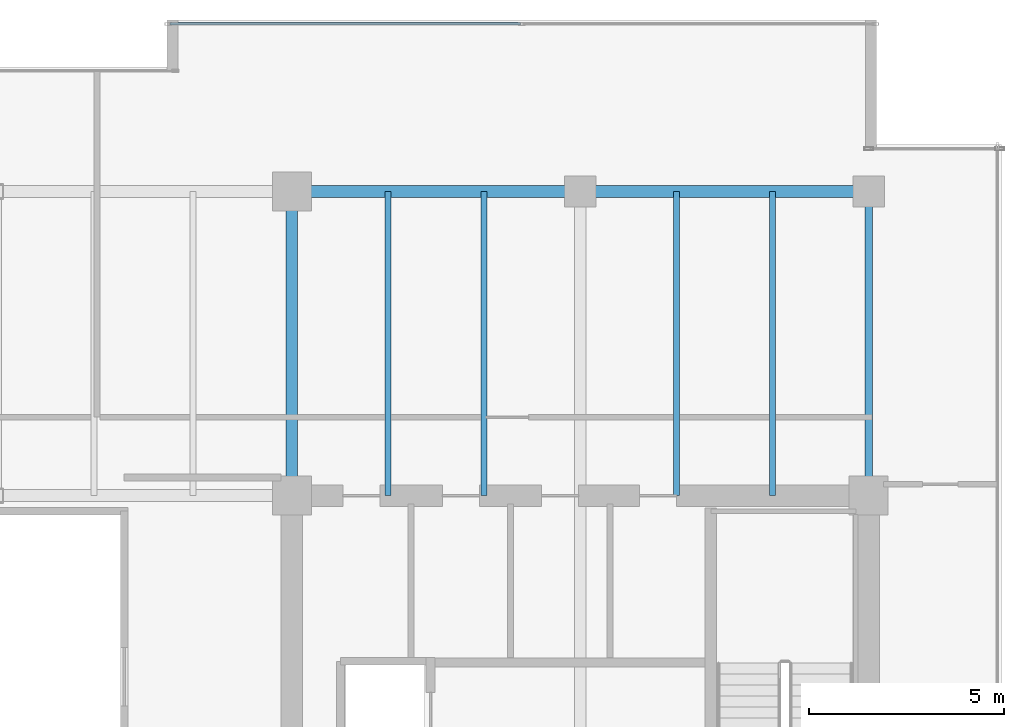
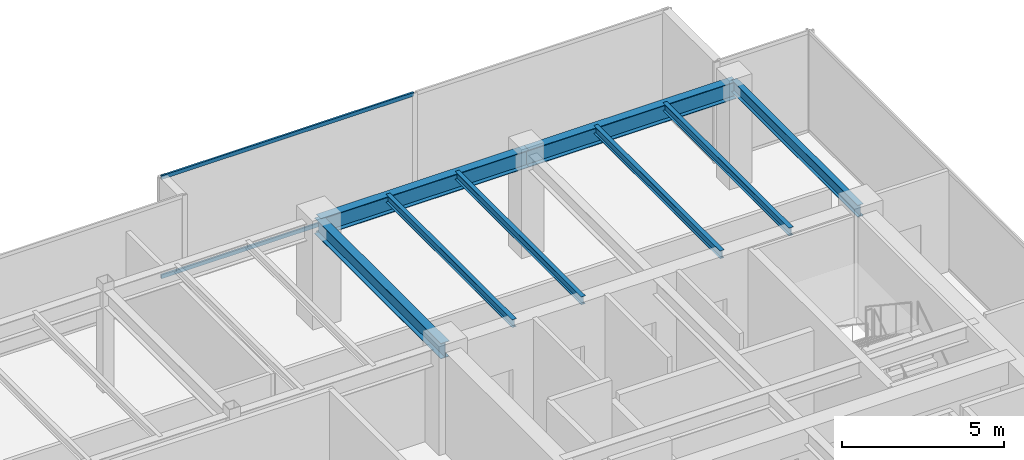
# One storey, part 20 of 33: 8 beams, 2 members, 1 element without a shape of its own.
"""IFC4 building model written with IfcOpenShell, lengths in metres."""

from ifc_helpers import new_model, si_unit, direction, frame, origin, origin_2d, place, context, subcontext, project, spatial, hollow_rectangle, i_section, extrude, source, transform, mapped, material, layer, layer_set, material_profile, profile_set, type_object, type_shapes, element, aggregate, save


model = new_model("IFC4")

# Units and contexts
model_context = context("Model", 3, precision=1e-05, world=origin(), true_north=direction((0.0, 1.0)))
body_context = subcontext(model_context, "Body", "Model", "MODEL_VIEW")
ifc_project = project(units=[si_unit("LENGTHUNIT", "METRE"), si_unit("AREAUNIT", "SQUARE_METRE"), si_unit("VOLUMEUNIT", "CUBIC_METRE"), si_unit("PLANEANGLEUNIT", "RADIAN"), si_unit("MASSUNIT", "GRAM", prefix="KILO")], contexts=[model_context])

# Site, building, storey
site_placement = place(None, origin())
site = spatial("IfcSite", under=ifc_project, at=site_placement, CompositionType="ELEMENT")
building_placement = place(site_placement, origin())
building = spatial("IfcBuilding", under=site, at=building_placement, Name="Haelvirn Gate Laboratories", CompositionType="ELEMENT")
storey_placement = place(building_placement, frame((0.0, 0.0, 209.60009765625)))
storey = spatial("IfcBuildingStorey", under=building, at=storey_placement, Name="L50", CompositionType="ELEMENT", Elevation=209.60009765625)

# Beams
ifc_material_1 = material(Name="Steel SM355", Category="steel")
ifc_material_profile_1 = material_profile(ifc_material_1, i_section(OverallWidth=0.14990234375, OverallDepth=0.300048828125, WebThickness=0.006591796875, FlangeThickness=0.009033203125, at=origin_2d()), Name="H-300x150x6.5x9")
ifc_profile_set_1 = profile_set([ifc_material_profile_1], Name="Steel SM355")
beam_type_1 = type_object("IfcBeamType", Name="BM-J-300", PredefinedType="JOIST", material=ifc_profile_set_1)
shared_shape_1 = source(origin(), body_context, "Body", "SweptSolid", [
    extrude(i_section(OverallWidth=0.14990234375, OverallDepth=0.300048828125, WebThickness=0.006591796875, FlangeThickness=0.009033203125, at=origin_2d()), origin(), (0.0, 0.0, 1.0), 7.800048828125),
])
type_shapes(beam_type_1, [shared_shape_1])
for number, where, z_axis, x_axis, name in (
    (1, (55.070068359375, 33.800048828125, 3.64990234375), (0.0, 1.0, 0.0), (-1.0, 0.0, 0.0), "L50 Composite Lab Joist North X55.07"),
    (2, (57.530029296875, 33.800048828125, 3.64990234375), (0.0, 1.0, 0.0), (-1.0, 0.0, 0.0), "L50 Composite Lab Joist North X57.53"),
    (3, (62.469970703125, 33.800048828125, 3.64990234375), (0.0, 1.0, 0.0), (-1.0, 0.0, 0.0), "L50 Composite Lab Joist North X62.47"),
    (4, (64.929931640625, 33.800048828125, 3.64990234375), (0.0, 1.0, 0.0), (-1.0, 0.0, 0.0), "L50 Composite Lab Joist North X64.93"),
):
    element("IfcBeam", number, at=place(storey_placement, frame(where, z_axis=z_axis, x_axis=x_axis)), inside=storey, type_object=beam_type_1, Name=name, PredefinedType="JOIST", context=body_context, shape_type="MappedRepresentation", body=[
        mapped(shared_shape_1, transform((0.0, 0.0, 0.0), scale=1.0)),
    ])
ifc_material_profile_2 = material_profile(ifc_material_1, i_section(OverallWidth=0.300048828125, OverallDepth=0.587890625, WebThickness=0.011962890625, FlangeThickness=0.02001953125, at=origin_2d()), Name="H-588x300x12x20")
ifc_profile_set_2 = profile_set([ifc_material_profile_2], Name="Steel SM355")
beam_type_2 = type_object("IfcBeamType", Name="BM-G-588", PredefinedType="BEAM", material=ifc_profile_set_2)
shared_shape_2 = source(origin(), body_context, "Body", "SweptSolid", [
    extrude(i_section(OverallWidth=0.300048828125, OverallDepth=0.587890625, WebThickness=0.011962890625, FlangeThickness=0.02001953125, at=origin_2d()), origin(), (0.0, 0.0, 1.0), 7.800048828125),
])
type_shapes(beam_type_2, [shared_shape_2])
beam_1_placement = place(storey_placement, frame((52.60009765625, 33.800048828125, 3.505859375), z_axis=(0.0, 1.0, 0.0), x_axis=(-1.0, 0.0, 0.0)))
element("IfcBeam", 5, at=beam_1_placement, inside=storey, type_object=beam_type_2, Name="L50 Frame Girder X52.6 (33.8-41.6)", PredefinedType="BEAM", context=body_context, shape_type="MappedRepresentation", body=[
    mapped(shared_shape_2, transform((0.0, 0.0, 0.0), scale=1.0)),
])
ifc_material_profile_3 = material_profile(ifc_material_1, i_section(OverallWidth=0.300048828125, OverallDepth=0.64990234375, WebThickness=0.012939453125, FlangeThickness=0.02197265625, at=origin_2d()), Name="H-650x300x13x22")
ifc_profile_set_3 = profile_set([ifc_material_profile_3], Name="Steel SM355")
beam_type_3 = type_object("IfcBeamType", Name="BM-G-650", PredefinedType="BEAM", material=ifc_profile_set_3)
shared_shape_3 = source(origin(), body_context, "Body", "SweptSolid", [
    extrude(i_section(OverallWidth=0.300048828125, OverallDepth=0.64990234375, WebThickness=0.012939453125, FlangeThickness=0.02197265625, at=origin_2d()), origin(), (0.0, 0.0, 1.0), 7.39990234375),
])
type_shapes(beam_type_3, [shared_shape_3])
for number, where, z_axis, x_axis, name in (
    (6, (52.60009765625, 41.60009765625, 3.474853515625), (1.0, 0.0, 0.0), (0.0, 1.0, 0.0), "L50 Primary Girder Y41.6 (52.6-60.0)"),
    (7, (60.0, 41.60009765625, 3.474853515625), (1.0, 0.0, 0.0), (0.0, 1.0, 0.0), "L50 Primary Girder Y41.6 (60.0-67.4)"),
):
    element("IfcBeam", number, at=place(storey_placement, frame(where, z_axis=z_axis, x_axis=x_axis)), inside=storey, type_object=beam_type_3, Name=name, PredefinedType="BEAM", context=body_context, shape_type="MappedRepresentation", body=[
        mapped(shared_shape_3, transform((0.0, 0.0, 0.0), scale=1.0)),
    ])
ifc_material_profile_4 = material_profile(ifc_material_1, i_section(OverallWidth=0.199951171875, OverallDepth=0.449951171875, WebThickness=0.009033203125, FlangeThickness=0.013916015625, at=origin_2d()), Name="H-450x200x9x14")
ifc_profile_set_4 = profile_set([ifc_material_profile_4], Name="Steel SM355")
beam_type_4 = type_object("IfcBeamType", Name="BM-SP-450", PredefinedType="SPANDREL", material=ifc_profile_set_4)
shared_shape_4 = source(origin(), body_context, "Body", "SweptSolid", [
    extrude(i_section(OverallWidth=0.199951171875, OverallDepth=0.449951171875, WebThickness=0.009033203125, FlangeThickness=0.013916015625, at=origin_2d()), origin(), (0.0, 0.0, 1.0), 7.800048828125),
])
type_shapes(beam_type_4, [shared_shape_4])
beam_2_placement = place(storey_placement, frame((67.39990234375, 33.800048828125, 3.574951171875), z_axis=(0.0, 1.0, 0.0), x_axis=(-1.0, 0.0, 0.0)))
element("IfcBeam", 8, at=beam_2_placement, inside=storey, type_object=beam_type_4, Name="L50 Perimeter Spandrel X67.4 (33.8-41.6)", PredefinedType="SPANDREL", context=body_context, shape_type="MappedRepresentation", body=[
    mapped(shared_shape_4, transform((0.0, 0.0, 0.0), scale=1.0)),
])

# Curtain wall, members
ifc_material_2 = material(Name="Anodised bronze unitised aluminium & triple low-E glass", Category="aluminium")
ifc_layer = layer(ifc_material_2, 0.176025390625, Name="CW-SYS-4")
ifc_layer_set = layer_set([ifc_layer], Name="Anodised bronze unitised aluminium & triple low-E glass")
curtain_wall_type = type_object("IfcCurtainWallType", Name="CW-SYS-4", PredefinedType="NOTDEFINED", material=ifc_layer_set)
curtain_wall_placement = place(storey_placement, origin())
curtain_wall = element("IfcCurtainWall", 9, at=curtain_wall_placement, inside=storey, type_object=curtain_wall_type, Name="L50 Unitised Curtain Wall CW-L50-P0-E10-1", PredefinedType="NOTDEFINED")
ifc_material_3 = material(Name="Extruded aluminium 6063-T6 (anodised bronze)", Category="aluminium")
ifc_material_profile_5 = material_profile(ifc_material_3, hollow_rectangle(XDim=0.06494140625, YDim=0.139892578125, WallThickness=0.00390625, at=origin_2d()), Name="CWT-140x65x4")
ifc_profile_set_5 = profile_set([ifc_material_profile_5], Name="Extruded aluminium 6063-T6 (anodised bronze)")
member_type = type_object("IfcMemberType", Name="CWT-T140", PredefinedType="USERDEFINED", material=ifc_profile_set_5)
shared_shape_5 = source(origin(), body_context, "Body", "SweptSolid", [
    extrude(hollow_rectangle(XDim=0.06494140625, YDim=0.139892578125, WallThickness=0.00390625, at=origin_2d()), origin(), (0.0, 0.0, 1.0), 8.9951171875),
])
type_shapes(member_type, [shared_shape_5])
member_1_placement = place(storey_placement, frame((49.469970703125, 45.89990234375, 0.032470703125), z_axis=(1.0, 0.0, 0.0), x_axis=(0.0, 1.0, 0.0)))
member_1 = element("IfcMember", 10, at=member_1_placement, type_object=member_type, Name="CW4 transom 1.1", ObjectType="TRANSOM", PredefinedType="USERDEFINED", context=body_context, shape_type="MappedRepresentation", body=[
    mapped(shared_shape_5, transform((0.0, 0.0, 0.0), scale=1.0)),
])
member_2_placement = place(storey_placement, frame((49.469970703125, 45.89990234375, 3.767333984375), z_axis=(1.0, 0.0, 0.0), x_axis=(0.0, 1.0, 0.0)))
member_2 = element("IfcMember", 11, at=member_2_placement, type_object=member_type, Name="CW4 transom 1.2", ObjectType="TRANSOM", PredefinedType="USERDEFINED", context=body_context, shape_type="MappedRepresentation", body=[
    mapped(shared_shape_5, transform((0.0, 0.0, 0.0), scale=1.0)),
])
aggregate(curtain_wall, [member_1, member_2])

save(model, "model.ifc")
